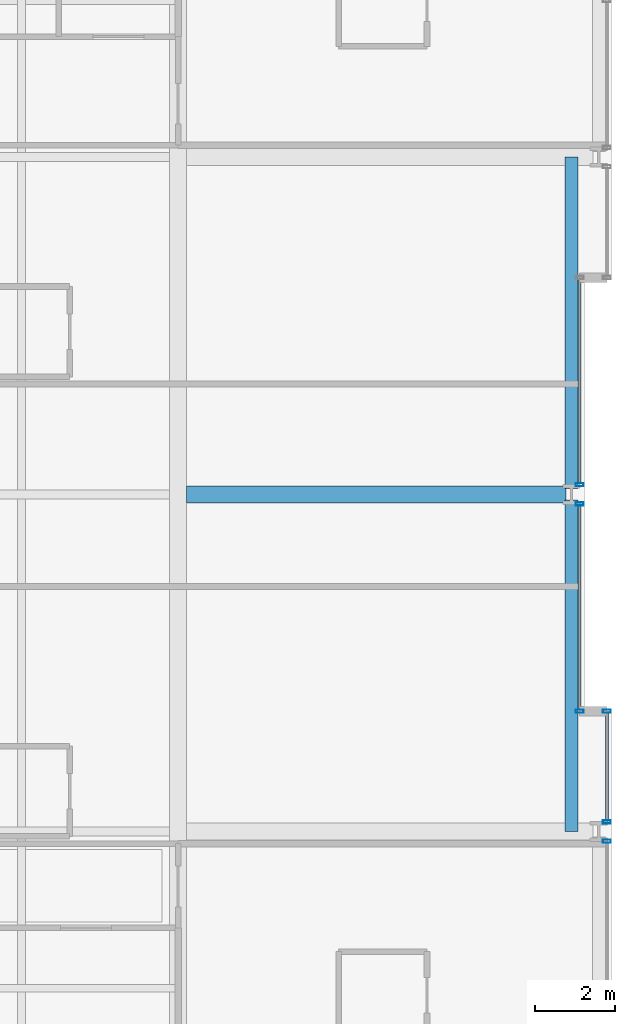
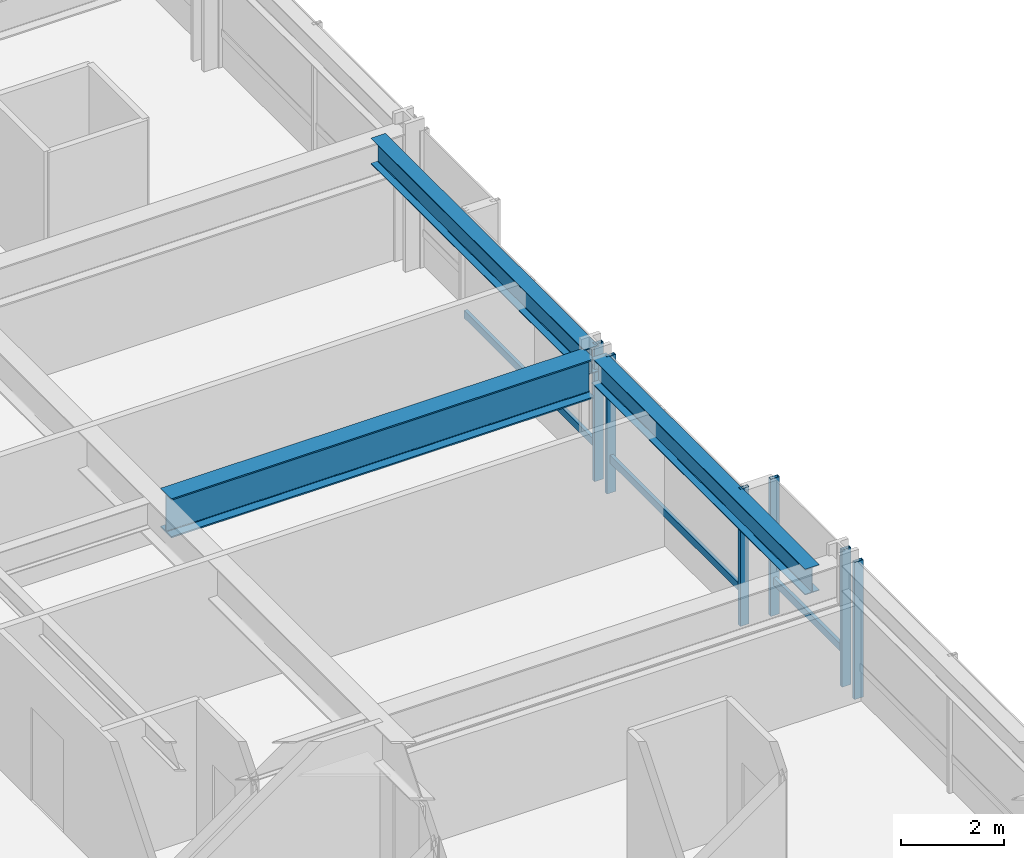
# One storey, part 16 of 39: 9 members, 3 beams, 4 elements without a shape of their own.
"""IFC4 building model written with IfcOpenShell, lengths in metres."""

from ifc_helpers import new_model, si_unit, direction, frame, origin, origin_2d, place, context, subcontext, project, spatial, hollow_rectangle, i_section, extrude, material, layer, layer_set, material_profile, profile_set, type_object, element, aggregate, save


model = new_model("IFC4")

# Units and contexts
model_context = context("Model", 3, precision=1e-05, world=origin(), true_north=direction((0.0, 1.0)))
body_context = subcontext(model_context, "Body", "Model", "MODEL_VIEW")
ifc_project = project(units=[si_unit("LENGTHUNIT", "METRE"), si_unit("AREAUNIT", "SQUARE_METRE"), si_unit("VOLUMEUNIT", "CUBIC_METRE"), si_unit("PLANEANGLEUNIT", "RADIAN"), si_unit("MASSUNIT", "GRAM", prefix="KILO")], contexts=[model_context])

# Site, building, storey
site_placement = place(None, origin())
site = spatial("IfcSite", under=ifc_project, at=site_placement, CompositionType="ELEMENT")
building_placement = place(site_placement, origin())
building = spatial("IfcBuilding", under=site, at=building_placement, Name="Drelvath Grand Hotel", CompositionType="ELEMENT")
storey_placement = place(building_placement, frame((0.0, 0.0, 54.199951171875)))
storey = spatial("IfcBuildingStorey", under=building, at=storey_placement, Name="L12", CompositionType="ELEMENT", Elevation=54.199951171875)

# Curtain wall, member
ifc_material_1 = material(Name="Warm Bronze Anodised Aluminium Frame", Category="aluminium")
ifc_layer = layer(ifc_material_1, 0.199951171875)
ifc_layer_set = layer_set([ifc_layer], Name="Warm Bronze Anodised Aluminium Frame")
curtain_wall_type = type_object("IfcCurtainWallType", Name="Stick Curtain Wall CW-02 Warm Bronze Low-Rise", PredefinedType="NOTDEFINED", material=ifc_layer_set)
curtain_wall_1_placement = place(storey_placement, origin())
curtain_wall_1 = element("IfcCurtainWall", 1, at=curtain_wall_1_placement, inside=storey, type_object=curtain_wall_type, Name="L12 CW-02 Curtain Wall CW02-L12-EM1", PredefinedType="NOTDEFINED")
ifc_material_profile_1 = material_profile(ifc_material_1, hollow_rectangle(XDim=0.074951171875, YDim=0.179931640625, WallThickness=0.0048828125, at=origin_2d()), Name="HSS180X75X5")
ifc_profile_set_1 = profile_set([ifc_material_profile_1], Name="Warm Bronze Anodised Aluminium Frame")
member_type_1 = type_object("IfcMemberType", Name="Curtain Wall Horizontal Transom CW-02 HSS180X75X5", PredefinedType="USERDEFINED", material=ifc_profile_set_1)
member_1_placement = place(storey_placement, frame((26.199951171875, 26.718994140625, 0.81005859375), z_axis=(0.0, -1.0, 0.0), x_axis=(1.0, 0.0, 0.0)))
member_1 = element("IfcMember", 2, at=member_1_placement, type_object=member_type_1, Name="CW02-L12-EM1 Sill Transom", ObjectType="TRANSOM", PredefinedType="USERDEFINED", context=body_context, shape_type="SweptSolid", body=[
    extrude(hollow_rectangle(XDim=0.074951171875, YDim=0.179931640625, WallThickness=0.0048828125, at=origin_2d()), origin(), (0.0, 0.0, 1.0), 5.0791015625),
])

curtain_wall_2_placement = place(storey_placement, origin())
curtain_wall_2 = element("IfcCurtainWall", 3, at=curtain_wall_2_placement, inside=storey, type_object=curtain_wall_type, Name="L12 CW-02 Curtain Wall CW02-L12-EM2", PredefinedType="NOTDEFINED")
member_2_placement = place(storey_placement, frame((26.199951171875, 32.360107421875, 0.81005859375), z_axis=(0.0, -1.0, 0.0), x_axis=(1.0, 0.0, 0.0)))
member_2 = element("IfcMember", 4, at=member_2_placement, type_object=member_type_1, Name="CW02-L12-EM2 Sill Transom", ObjectType="TRANSOM", PredefinedType="USERDEFINED", context=body_context, shape_type="SweptSolid", body=[
    extrude(hollow_rectangle(XDim=0.074951171875, YDim=0.179931640625, WallThickness=0.0048828125, at=origin_2d()), origin(), (0.0, 0.0, 1.0), 5.0791015625),
])

curtain_wall_3_placement = place(storey_placement, origin())
curtain_wall_3 = element("IfcCurtainWall", 5, at=curtain_wall_3_placement, inside=storey, type_object=curtain_wall_type, Name="L12 CW-02 Curtain Wall CW02-L12-ES3", PredefinedType="NOTDEFINED")
member_3_placement = place(storey_placement, frame((26.8798828125, 21.56005859375, 0.81005859375), z_axis=(0.0, -1.0, 0.0), x_axis=(1.0, 0.0, 0.0)))
member_3 = element("IfcMember", 6, at=member_3_placement, type_object=member_type_1, Name="CW02-L12-ES3 Sill Transom", ObjectType="TRANSOM", PredefinedType="USERDEFINED", context=body_context, shape_type="SweptSolid", body=[
    extrude(hollow_rectangle(XDim=0.074951171875, YDim=0.179931640625, WallThickness=0.0048828125, at=origin_2d()), origin(), (0.0, 0.0, 1.0), 2.67919921875),
])

# Member
ifc_material_profile_2 = material_profile(ifc_material_1, hollow_rectangle(XDim=0.080078125, YDim=0.199951171875, WallThickness=0.0048828125, at=origin_2d()), Name="HSS200X80X5")
ifc_profile_set_2 = profile_set([ifc_material_profile_2], Name="Warm Bronze Anodised Aluminium Frame")
member_type_2 = type_object("IfcMemberType", Name="Curtain Wall Vertical Mullion CW-02 HSS200X80X5", PredefinedType="MULLION", material=ifc_profile_set_2)
member_4_placement = place(storey_placement, frame((26.199951171875, 26.759033203125, 0.0), z_axis=(0.0, 0.0, 1.0), x_axis=(0.0, 1.0, 0.0)))
member_4 = element("IfcMember", 7, at=member_4_placement, type_object=member_type_2, Name="CW02-L12-EM1 Mullion 1", PredefinedType="MULLION", context=body_context, shape_type="SweptSolid", body=[
    extrude(hollow_rectangle(XDim=0.080078125, YDim=0.199951171875, WallThickness=0.0048828125, at=origin_2d()), origin(), (0.0, 0.0, 1.0), 3.239990234375),
])

member_5_placement = place(storey_placement, frame((26.199951171875, 21.60009765625, 0.0), z_axis=(0.0, 0.0, 1.0), x_axis=(0.0, 1.0, 0.0)))
member_5 = element("IfcMember", 8, at=member_5_placement, type_object=member_type_2, Name="CW02-L12-EM1 Mullion 2", PredefinedType="MULLION", context=body_context, shape_type="SweptSolid", body=[
    extrude(hollow_rectangle(XDim=0.080078125, YDim=0.199951171875, WallThickness=0.0048828125, at=origin_2d()), origin(), (0.0, 0.0, 1.0), 3.239990234375),
])

aggregate(curtain_wall_1, [member_4, member_5, member_1])

member_6_placement = place(storey_placement, frame((26.199951171875, 27.240966796875, 0.0), z_axis=(0.0, 0.0, 1.0), x_axis=(0.0, 1.0, 0.0)))
member_6 = element("IfcMember", 9, at=member_6_placement, type_object=member_type_2, Name="CW02-L12-EM2 Mullion 2", PredefinedType="MULLION", context=body_context, shape_type="SweptSolid", body=[
    extrude(hollow_rectangle(XDim=0.080078125, YDim=0.199951171875, WallThickness=0.0048828125, at=origin_2d()), origin(), (0.0, 0.0, 1.0), 3.239990234375),
])

aggregate(curtain_wall_2, [member_6, member_2])

# Curtain wall, member
curtain_wall_4_placement = place(storey_placement, origin())
curtain_wall_4 = element("IfcCurtainWall", 10, at=curtain_wall_4_placement, inside=storey, type_object=curtain_wall_type, Name="L12 CW-02 Curtain Wall CW02-L12-ES2", PredefinedType="NOTDEFINED")
member_7_placement = place(storey_placement, frame((26.8798828125, 18.359130859375, 0.0), z_axis=(0.0, 0.0, 1.0), x_axis=(0.0, 1.0, 0.0)))
member_7 = element("IfcMember", 11, at=member_7_placement, type_object=member_type_2, Name="CW02-L12-ES2 Mullion 1", PredefinedType="MULLION", context=body_context, shape_type="SweptSolid", body=[
    extrude(hollow_rectangle(XDim=0.080078125, YDim=0.199951171875, WallThickness=0.0048828125, at=origin_2d()), origin(), (0.0, 0.0, 1.0), 3.239990234375),
])
aggregate(curtain_wall_4, [member_7])

# Member
member_8_placement = place(storey_placement, frame((26.8798828125, 21.60009765625, 0.0), z_axis=(0.0, 0.0, 1.0), x_axis=(0.0, 1.0, 0.0)))
member_8 = element("IfcMember", 12, at=member_8_placement, type_object=member_type_2, Name="CW02-L12-ES3 Mullion 1", PredefinedType="MULLION", context=body_context, shape_type="SweptSolid", body=[
    extrude(hollow_rectangle(XDim=0.080078125, YDim=0.199951171875, WallThickness=0.0048828125, at=origin_2d()), origin(), (0.0, 0.0, 1.0), 3.239990234375),
])

member_9_placement = place(storey_placement, frame((26.8798828125, 18.8408203125, 0.0), z_axis=(0.0, 0.0, 1.0), x_axis=(0.0, 1.0, 0.0)))
member_9 = element("IfcMember", 13, at=member_9_placement, type_object=member_type_2, Name="CW02-L12-ES3 Mullion 2", PredefinedType="MULLION", context=body_context, shape_type="SweptSolid", body=[
    extrude(hollow_rectangle(XDim=0.080078125, YDim=0.199951171875, WallThickness=0.0048828125, at=origin_2d()), origin(), (0.0, 0.0, 1.0), 3.239990234375),
])

aggregate(curtain_wall_3, [member_8, member_9, member_3])

# Beams
ifc_material_2 = material(Name="Steel ASTM A992 Gr 50", Category="steel")
ifc_material_profile_3 = material_profile(ifc_material_2, i_section(OverallWidth=0.323974609375, OverallDepth=0.611083984375, WebThickness=0.0126953125, FlangeThickness=0.01904296875, FilletRadius=0.02197265625, at=origin_2d()), Name="W24X104")
ifc_profile_set_3 = profile_set([ifc_material_profile_3], Name="Steel ASTM A992 Gr 50")
beam_type_1 = type_object("IfcBeamType", Name="Perimeter Spandrel Beam W24X104", PredefinedType="SPANDREL", material=ifc_profile_set_3)
for number, where, z_axis, x_axis, name in (
    (14, (26.0, 18.60009765625, 2.9345703125), (0.0, 1.0, 0.0), (-1.0, 0.0, 0.0), "L12 Spandrel East Mid S"),
    (15, (26.0, 27.139892578125, 2.9345703125), (0.0, 1.0, 0.0), (-1.0, 0.0, 0.0), "L12 Spandrel East Mid N"),
):
    element("IfcBeam", number, at=place(storey_placement, frame(where, z_axis=z_axis, x_axis=x_axis)), inside=storey, type_object=beam_type_1, Name=name, PredefinedType="SPANDREL", context=body_context, shape_type="SweptSolid", body=[
        extrude(i_section(OverallWidth=0.323974609375, OverallDepth=0.611083984375, WebThickness=0.0126953125, FlangeThickness=0.01904296875, FilletRadius=0.02197265625, at=origin_2d()), origin(), (0.0, 0.0, 1.0), 8.260009765625),
    ])
ifc_material_profile_4 = material_profile(ifc_material_2, i_section(OverallWidth=0.418212890625, OverallDepth=0.926513671875, WebThickness=0.019287109375, FlangeThickness=0.031982421875, FilletRadius=0.028076171875, at=origin_2d()), Name="W36X231")
ifc_profile_set_4 = profile_set([ifc_material_profile_4], Name="Steel ASTM A992 Gr 50")
beam_type_2 = type_object("IfcBeamType", Name="Primary Floor Girder W36X231", PredefinedType="BEAM", material=ifc_profile_set_4)
beam_placement = place(storey_placement, frame((16.4091796875, 27.0, 2.77685546875), z_axis=(1.0, 0.0, 0.0), x_axis=(0.0, 1.0, 0.0)))
element("IfcBeam", 16, at=beam_placement, inside=storey, type_object=beam_type_2, Name="L12 East Wing Girder E", PredefinedType="BEAM", context=body_context, shape_type="SweptSolid", body=[
    extrude(i_section(OverallWidth=0.418212890625, OverallDepth=0.926513671875, WebThickness=0.019287109375, FlangeThickness=0.031982421875, FilletRadius=0.028076171875, at=origin_2d()), origin(), (0.0, 0.0, 1.0), 9.450927734375),
])

save(model, "model.ifc")
